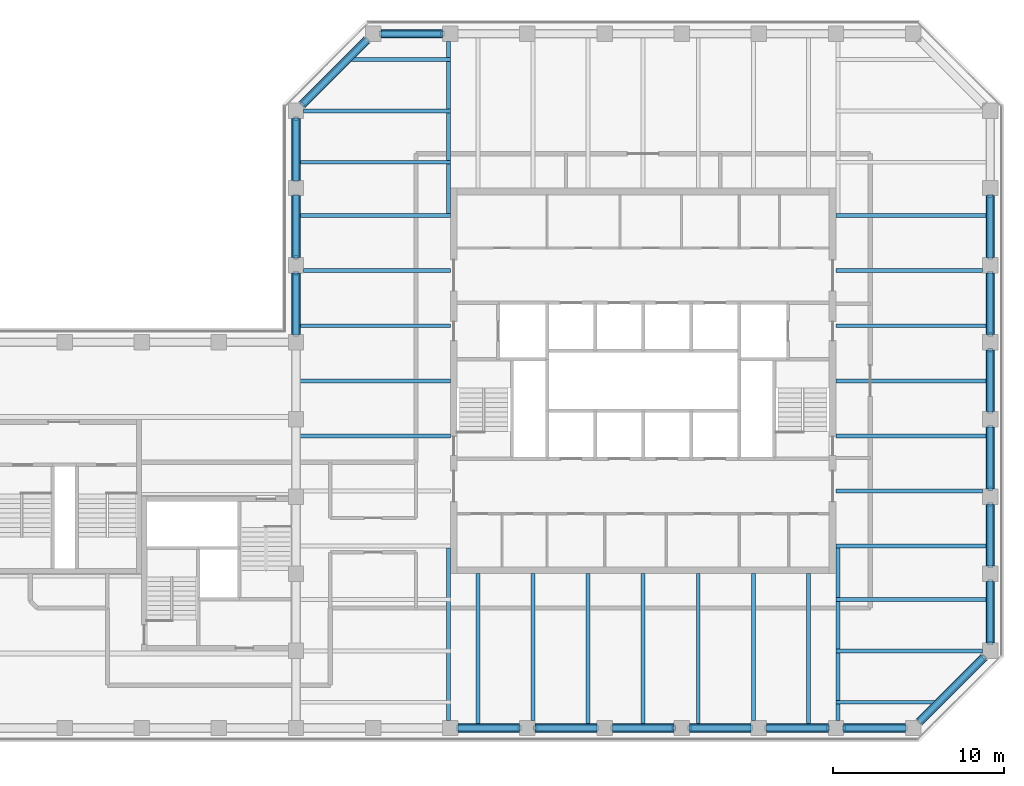
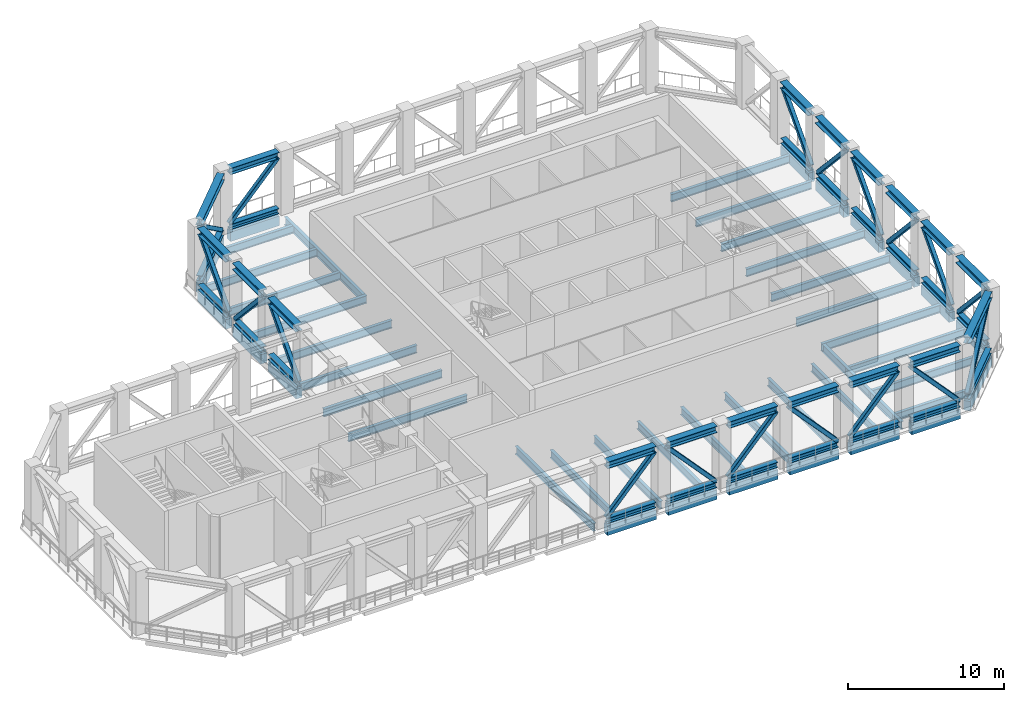
# One storey, part 2 of 13: 54 members, 46 beams.
"""IFC4 building model written with IfcOpenShell, lengths in metres."""

from ifc_helpers import new_model, si_unit, direction, frame, origin, origin_2d, place, context, subcontext, project, spatial, rectangle, hollow_rectangle, i_section, extrude, material, material_profile, profile_set, type_object, element, save


model = new_model("IFC4")

# Units and contexts
model_context = context("Model", 3, precision=1e-05, world=origin(), true_north=direction((0.0, 1.0)))
body_context = subcontext(model_context, "Body", "Model", "MODEL_VIEW")
ifc_project = project(units=[si_unit("LENGTHUNIT", "METRE"), si_unit("AREAUNIT", "SQUARE_METRE"), si_unit("VOLUMEUNIT", "CUBIC_METRE"), si_unit("PLANEANGLEUNIT", "RADIAN"), si_unit("MASSUNIT", "GRAM", prefix="KILO")], contexts=[model_context])

# Site, building, storey
site_placement = place(None, origin())
site = spatial("IfcSite", under=ifc_project, at=site_placement, CompositionType="ELEMENT")
building_placement = place(site_placement, origin())
building = spatial("IfcBuilding", under=site, at=building_placement, Name="Quoin Convention Tower", CompositionType="ELEMENT")
storey_placement = place(building_placement, frame((0.0, 0.0, 206.89990234375)))
storey = spatial("IfcBuildingStorey", under=building, at=storey_placement, Name="L54", CompositionType="ELEMENT", Elevation=206.89990234375)

# Members
ifc_material_1 = material(Name="Steel C450L0", Category="steel")
ifc_material_profile_1 = material_profile(ifc_material_1, hollow_rectangle(XDim=0.300048828125, YDim=0.300048828125, WallThickness=0.012451171875, InnerFilletRadius=0.018798828125, OuterFilletRadius=0.03125, at=origin_2d()), Name="300x300x12.5SHS")
ifc_profile_set_1 = profile_set([ifc_material_profile_1], Name="Steel C450L0")
member_type_1 = type_object("IfcMemberType", Name="300x300x12.5SHS", PredefinedType="BRACE", material=ifc_profile_set_1)
for number, where, z_axis, x_axis, name in (
    (1, (45.449951171875, 40.5, 0.422119140625), (0.676970994277, 0.0, 0.736009696205), (0.0, 1.0, 0.0), "Belt truss L54 diagonal 45000_40500-49500_40500"),
    (2, (53.550048828125, 40.5, 0.422119140625), (-0.676970994277, 0.0, 0.736009696205), (0.0, -1.0, 0.0), "Belt truss L54 diagonal 49500_40500-54000_40500"),
    (3, (54.449951171875, 40.5, 0.422119140625), (0.676970994277, 0.0, 0.736009696205), (0.0, 1.0, 0.0), "Belt truss L54 diagonal 54000_40500-58500_40500"),
    (4, (62.550048828125, 40.5, 0.422119140625), (-0.676970994277, 0.0, 0.736009696205), (0.0, -1.0, 0.0), "Belt truss L54 diagonal 58500_40500-63000_40500"),
    (5, (63.449951171875, 40.5, 0.422119140625), (0.676970994277, 0.0, 0.736009696205), (0.0, 1.0, 0.0), "Belt truss L54 diagonal 63000_40500-67500_40500"),
    (6, (71.550048828125, 40.5, 0.422119140625), (-0.676970994277, 0.0, 0.736009696205), (0.0, -1.0, 0.0), "Belt truss L54 diagonal 67500_40500-72000_40500"),
):
    element("IfcMember", number, at=place(storey_placement, frame(where, z_axis=z_axis, x_axis=x_axis)), inside=storey, type_object=member_type_1, Name=name, PredefinedType="BRACE", context=body_context, shape_type="SweptSolid", body=[
        extrude(hollow_rectangle(XDim=0.300048828125, YDim=0.300048828125, WallThickness=0.012451171875, InnerFilletRadius=0.018798828125, OuterFilletRadius=0.03125, at=origin_2d()), origin(), (0.0, 0.0, 1.0), 5.31787109375),
    ])
member_1_placement = place(storey_placement, frame((72.364990234375, 40.864990234375, 0.422119140625), z_axis=(0.56999956755, 0.56999956755, 0.591777818091), x_axis=(-0.707106781187, 0.707106781187, 0.0)))
element("IfcMember", 7, at=member_1_placement, inside=storey, type_object=member_type_1, Name="Belt truss L54 diagonal 72000_40500-76500_45000", PredefinedType="BRACE", context=body_context, shape_type="SweptSolid", body=[
    extrude(hollow_rectangle(XDim=0.300048828125, YDim=0.300048828125, WallThickness=0.012451171875, InnerFilletRadius=0.018798828125, OuterFilletRadius=0.03125, at=origin_2d()), origin(), (0.0, 0.0, 1.0), 6.614013671875),
])
for number, where, z_axis, x_axis, name in (
    (8, (76.5, 49.050048828125, 0.422119140625), (0.0, -0.676970994277, 0.736009696205), (1.0, 0.0, 0.0), "Belt truss L54 diagonal 76500_45000-76500_49500"),
    (9, (76.5, 49.949951171875, 0.422119140625), (0.0, 0.676970994277, 0.736009696205), (-1.0, 0.0, 0.0), "Belt truss L54 diagonal 76500_49500-76500_54000"),
    (10, (76.5, 58.050048828125, 0.422119140625), (0.0, -0.676970994277, 0.736009696205), (1.0, 0.0, 0.0), "Belt truss L54 diagonal 76500_54000-76500_58500"),
    (11, (76.5, 58.949951171875, 0.422119140625), (0.0, 0.676970994277, 0.736009696205), (-1.0, 0.0, 0.0), "Belt truss L54 diagonal 76500_58500-76500_63000"),
    (12, (76.5, 67.050048828125, 0.422119140625), (0.0, -0.676970994277, 0.736009696205), (1.0, 0.0, 0.0), "Belt truss L54 diagonal 76500_63000-76500_67500"),
    (13, (76.5, 67.949951171875, 0.422119140625), (0.0, 0.676970994277, 0.736009696205), (-1.0, 0.0, 0.0), "Belt truss L54 diagonal 76500_67500-76500_72000"),
    (14, (40.949951171875, 81.0, 0.422119140625), (0.676970994277, 0.0, 0.736009696205), (0.0, 1.0, 0.0), "Belt truss L54 diagonal 45000_81000-40500_81000"),
):
    element("IfcMember", number, at=place(storey_placement, frame(where, z_axis=z_axis, x_axis=x_axis)), inside=storey, type_object=member_type_1, Name=name, PredefinedType="BRACE", context=body_context, shape_type="SweptSolid", body=[
        extrude(hollow_rectangle(XDim=0.300048828125, YDim=0.300048828125, WallThickness=0.012451171875, InnerFilletRadius=0.018798828125, OuterFilletRadius=0.03125, at=origin_2d()), origin(), (0.0, 0.0, 1.0), 5.31787109375),
    ])
member_2_placement = place(storey_placement, frame((40.135009765625, 80.635009765625, 0.422119140625), z_axis=(-0.56999956755, -0.56999956755, 0.591777818091), x_axis=(0.707106781187, -0.707106781187, 0.0)))
element("IfcMember", 15, at=member_2_placement, inside=storey, type_object=member_type_1, Name="Belt truss L54 diagonal 40500_81000-36000_76500", PredefinedType="BRACE", context=body_context, shape_type="SweptSolid", body=[
    extrude(hollow_rectangle(XDim=0.300048828125, YDim=0.300048828125, WallThickness=0.012451171875, InnerFilletRadius=0.018798828125, OuterFilletRadius=0.03125, at=origin_2d()), origin(), (0.0, 0.0, 1.0), 6.614013671875),
])
for number, where, z_axis, x_axis, name in (
    (16, (36.0, 72.449951171875, 0.422119140625), (0.0, 0.676970994277, 0.736009696205), (-1.0, 0.0, 0.0), "Belt truss L54 diagonal 36000_76500-36000_72000"),
    (17, (36.0, 71.550048828125, 0.422119140625), (0.0, -0.676970994277, 0.736009696205), (1.0, 0.0, 0.0), "Belt truss L54 diagonal 36000_72000-36000_67500"),
    (18, (36.0, 63.449951171875, 0.422119140625), (0.0, 0.676970994277, 0.736009696205), (-1.0, 0.0, 0.0), "Belt truss L54 diagonal 36000_67500-36000_63000"),
):
    element("IfcMember", number, at=place(storey_placement, frame(where, z_axis=z_axis, x_axis=x_axis)), inside=storey, type_object=member_type_1, Name=name, PredefinedType="BRACE", context=body_context, shape_type="SweptSolid", body=[
        extrude(hollow_rectangle(XDim=0.300048828125, YDim=0.300048828125, WallThickness=0.012451171875, InnerFilletRadius=0.018798828125, OuterFilletRadius=0.03125, at=origin_2d()), origin(), (0.0, 0.0, 1.0), 5.31787109375),
    ])
ifc_material_2 = material(Name="Steel Grade 300", Category="steel")
ifc_material_profile_2 = material_profile(ifc_material_2, i_section(OverallWidth=0.39990234375, OverallDepth=0.422119140625, WebThickness=0.028076171875, FlangeThickness=0.035888671875, at=origin_2d()), Name="400WC303")
ifc_profile_set_2 = profile_set([ifc_material_profile_2], Name="Steel Grade 300")
member_type_2 = type_object("IfcMemberType", Name="400WC303", PredefinedType="CHORD", material=ifc_profile_set_2)
for number, where, z_axis, x_axis, name in (
    (19, (45.449951171875, 40.5, 0.211181640625), (1.0, 0.0, 0.0), (0.0, 1.0, 0.0), "Belt truss L54 bottom chord 45000_40500-49500_40500"),
    (20, (49.949951171875, 40.5, 0.211181640625), (1.0, 0.0, 0.0), (0.0, 1.0, 0.0), "Belt truss L54 bottom chord 49500_40500-54000_40500"),
    (21, (54.449951171875, 40.5, 0.211181640625), (1.0, 0.0, 0.0), (0.0, 1.0, 0.0), "Belt truss L54 bottom chord 54000_40500-58500_40500"),
    (22, (58.949951171875, 40.5, 0.211181640625), (1.0, 0.0, 0.0), (0.0, 1.0, 0.0), "Belt truss L54 bottom chord 58500_40500-63000_40500"),
    (23, (63.449951171875, 40.5, 0.211181640625), (1.0, 0.0, 0.0), (0.0, 1.0, 0.0), "Belt truss L54 bottom chord 63000_40500-67500_40500"),
    (24, (67.949951171875, 40.5, 0.211181640625), (1.0, 0.0, 0.0), (0.0, 1.0, 0.0), "Belt truss L54 bottom chord 67500_40500-72000_40500"),
):
    element("IfcMember", number, at=place(storey_placement, frame(where, z_axis=z_axis, x_axis=x_axis)), inside=storey, type_object=member_type_2, Name=name, PredefinedType="CHORD", context=body_context, shape_type="SweptSolid", body=[
        extrude(i_section(OverallWidth=0.39990234375, OverallDepth=0.422119140625, WebThickness=0.028076171875, FlangeThickness=0.035888671875, at=origin_2d()), origin(), (0.0, 0.0, 1.0), 3.60009765625),
    ])
member_3_placement = place(storey_placement, frame((72.364990234375, 40.864990234375, 0.211181640625), z_axis=(0.707106781187, 0.707106781187, 0.0), x_axis=(-0.707106781187, 0.707106781187, 0.0)))
element("IfcMember", 25, at=member_3_placement, inside=storey, type_object=member_type_2, Name="Belt truss L54 bottom chord 72000_40500-76500_45000", PredefinedType="CHORD", context=body_context, shape_type="SweptSolid", body=[
    extrude(i_section(OverallWidth=0.39990234375, OverallDepth=0.422119140625, WebThickness=0.028076171875, FlangeThickness=0.035888671875, at=origin_2d()), origin(), (0.0, 0.0, 1.0), 5.33154296875),
])
for number, where, z_axis, x_axis, name in (
    (26, (76.5, 45.449951171875, 0.211181640625), (0.0, 1.0, 0.0), (-1.0, 0.0, 0.0), "Belt truss L54 bottom chord 76500_45000-76500_49500"),
    (27, (76.5, 49.949951171875, 0.211181640625), (0.0, 1.0, 0.0), (-1.0, 0.0, 0.0), "Belt truss L54 bottom chord 76500_49500-76500_54000"),
    (28, (76.5, 54.449951171875, 0.211181640625), (0.0, 1.0, 0.0), (-1.0, 0.0, 0.0), "Belt truss L54 bottom chord 76500_54000-76500_58500"),
    (29, (76.5, 58.949951171875, 0.211181640625), (0.0, 1.0, 0.0), (-1.0, 0.0, 0.0), "Belt truss L54 bottom chord 76500_58500-76500_63000"),
    (30, (76.5, 63.449951171875, 0.211181640625), (0.0, 1.0, 0.0), (-1.0, 0.0, 0.0), "Belt truss L54 bottom chord 76500_63000-76500_67500"),
    (31, (76.5, 67.949951171875, 0.211181640625), (0.0, 1.0, 0.0), (-1.0, 0.0, 0.0), "Belt truss L54 bottom chord 76500_67500-76500_72000"),
    (32, (44.550048828125, 81.0, 0.211181640625), (-1.0, 0.0, 0.0), (0.0, -1.0, 0.0), "Belt truss L54 bottom chord 45000_81000-40500_81000"),
):
    element("IfcMember", number, at=place(storey_placement, frame(where, z_axis=z_axis, x_axis=x_axis)), inside=storey, type_object=member_type_2, Name=name, PredefinedType="CHORD", context=body_context, shape_type="SweptSolid", body=[
        extrude(i_section(OverallWidth=0.39990234375, OverallDepth=0.422119140625, WebThickness=0.028076171875, FlangeThickness=0.035888671875, at=origin_2d()), origin(), (0.0, 0.0, 1.0), 3.60009765625),
    ])
member_4_placement = place(storey_placement, frame((40.135009765625, 80.635009765625, 0.211181640625), z_axis=(-0.707106781187, -0.707106781187, 0.0), x_axis=(0.707106781187, -0.707106781187, 0.0)))
element("IfcMember", 33, at=member_4_placement, inside=storey, type_object=member_type_2, Name="Belt truss L54 bottom chord 40500_81000-36000_76500", PredefinedType="CHORD", context=body_context, shape_type="SweptSolid", body=[
    extrude(i_section(OverallWidth=0.39990234375, OverallDepth=0.422119140625, WebThickness=0.028076171875, FlangeThickness=0.035888671875, at=origin_2d()), origin(), (0.0, 0.0, 1.0), 5.33154296875),
])
for number, where, z_axis, x_axis, name in (
    (34, (36.0, 76.050048828125, 0.211181640625), (0.0, -1.0, 0.0), (1.0, 0.0, 0.0), "Belt truss L54 bottom chord 36000_76500-36000_72000"),
    (35, (36.0, 71.550048828125, 0.211181640625), (0.0, -1.0, 0.0), (1.0, 0.0, 0.0), "Belt truss L54 bottom chord 36000_72000-36000_67500"),
    (36, (36.0, 67.050048828125, 0.211181640625), (0.0, -1.0, 0.0), (1.0, 0.0, 0.0), "Belt truss L54 bottom chord 36000_67500-36000_63000"),
):
    element("IfcMember", number, at=place(storey_placement, frame(where, z_axis=z_axis, x_axis=x_axis)), inside=storey, type_object=member_type_2, Name=name, PredefinedType="CHORD", context=body_context, shape_type="SweptSolid", body=[
        extrude(i_section(OverallWidth=0.39990234375, OverallDepth=0.422119140625, WebThickness=0.028076171875, FlangeThickness=0.035888671875, at=origin_2d()), origin(), (0.0, 0.0, 1.0), 3.60009765625),
    ])
ifc_material_profile_3 = material_profile(ifc_material_2, i_section(OverallWidth=0.5, OverallDepth=0.513916015625, WebThickness=0.02490234375, FlangeThickness=0.031982421875, at=origin_2d()), Name="500WC340")
ifc_profile_set_3 = profile_set([ifc_material_profile_3], Name="Steel Grade 300")
member_type_3 = type_object("IfcMemberType", Name="500WC340", PredefinedType="CHORD", material=ifc_profile_set_3)
for number, where, z_axis, x_axis, name in (
    (37, (45.449951171875, 40.5, 4.593017578125), (1.0, 0.0, 0.0), (0.0, 1.0, 0.0), "Belt truss L54 top chord 45000_40500-49500_40500"),
    (38, (49.949951171875, 40.5, 4.593017578125), (1.0, 0.0, 0.0), (0.0, 1.0, 0.0), "Belt truss L54 top chord 49500_40500-54000_40500"),
    (39, (54.449951171875, 40.5, 4.593017578125), (1.0, 0.0, 0.0), (0.0, 1.0, 0.0), "Belt truss L54 top chord 54000_40500-58500_40500"),
    (40, (58.949951171875, 40.5, 4.593017578125), (1.0, 0.0, 0.0), (0.0, 1.0, 0.0), "Belt truss L54 top chord 58500_40500-63000_40500"),
    (41, (63.449951171875, 40.5, 4.593017578125), (1.0, 0.0, 0.0), (0.0, 1.0, 0.0), "Belt truss L54 top chord 63000_40500-67500_40500"),
    (42, (67.949951171875, 40.5, 4.593017578125), (1.0, 0.0, 0.0), (0.0, 1.0, 0.0), "Belt truss L54 top chord 67500_40500-72000_40500"),
):
    element("IfcMember", number, at=place(storey_placement, frame(where, z_axis=z_axis, x_axis=x_axis)), inside=storey, type_object=member_type_3, Name=name, PredefinedType="CHORD", context=body_context, shape_type="SweptSolid", body=[
        extrude(i_section(OverallWidth=0.5, OverallDepth=0.513916015625, WebThickness=0.02490234375, FlangeThickness=0.031982421875, at=origin_2d()), origin(), (0.0, 0.0, 1.0), 3.60009765625),
    ])
member_5_placement = place(storey_placement, frame((72.364990234375, 40.864990234375, 4.593017578125), z_axis=(0.707106781187, 0.707106781187, 0.0), x_axis=(-0.707106781187, 0.707106781187, 0.0)))
element("IfcMember", 43, at=member_5_placement, inside=storey, type_object=member_type_3, Name="Belt truss L54 top chord 72000_40500-76500_45000", PredefinedType="CHORD", context=body_context, shape_type="SweptSolid", body=[
    extrude(i_section(OverallWidth=0.5, OverallDepth=0.513916015625, WebThickness=0.02490234375, FlangeThickness=0.031982421875, at=origin_2d()), origin(), (0.0, 0.0, 1.0), 5.33154296875),
])
for number, where, z_axis, x_axis, name in (
    (44, (76.5, 45.449951171875, 4.593017578125), (0.0, 1.0, 0.0), (-1.0, 0.0, 0.0), "Belt truss L54 top chord 76500_45000-76500_49500"),
    (45, (76.5, 49.949951171875, 4.593017578125), (0.0, 1.0, 0.0), (-1.0, 0.0, 0.0), "Belt truss L54 top chord 76500_49500-76500_54000"),
    (46, (76.5, 54.449951171875, 4.593017578125), (0.0, 1.0, 0.0), (-1.0, 0.0, 0.0), "Belt truss L54 top chord 76500_54000-76500_58500"),
    (47, (76.5, 58.949951171875, 4.593017578125), (0.0, 1.0, 0.0), (-1.0, 0.0, 0.0), "Belt truss L54 top chord 76500_58500-76500_63000"),
    (48, (76.5, 63.449951171875, 4.593017578125), (0.0, 1.0, 0.0), (-1.0, 0.0, 0.0), "Belt truss L54 top chord 76500_63000-76500_67500"),
    (49, (76.5, 67.949951171875, 4.593017578125), (0.0, 1.0, 0.0), (-1.0, 0.0, 0.0), "Belt truss L54 top chord 76500_67500-76500_72000"),
    (50, (44.550048828125, 81.0, 4.593017578125), (-1.0, 0.0, 0.0), (0.0, -1.0, 0.0), "Belt truss L54 top chord 45000_81000-40500_81000"),
):
    element("IfcMember", number, at=place(storey_placement, frame(where, z_axis=z_axis, x_axis=x_axis)), inside=storey, type_object=member_type_3, Name=name, PredefinedType="CHORD", context=body_context, shape_type="SweptSolid", body=[
        extrude(i_section(OverallWidth=0.5, OverallDepth=0.513916015625, WebThickness=0.02490234375, FlangeThickness=0.031982421875, at=origin_2d()), origin(), (0.0, 0.0, 1.0), 3.60009765625),
    ])
member_6_placement = place(storey_placement, frame((40.135009765625, 80.635009765625, 4.593017578125), z_axis=(-0.707106781187, -0.707106781187, 0.0), x_axis=(0.707106781187, -0.707106781187, 0.0)))
element("IfcMember", 51, at=member_6_placement, inside=storey, type_object=member_type_3, Name="Belt truss L54 top chord 40500_81000-36000_76500", PredefinedType="CHORD", context=body_context, shape_type="SweptSolid", body=[
    extrude(i_section(OverallWidth=0.5, OverallDepth=0.513916015625, WebThickness=0.02490234375, FlangeThickness=0.031982421875, at=origin_2d()), origin(), (0.0, 0.0, 1.0), 5.33154296875),
])
for number, where, z_axis, x_axis, name in (
    (52, (36.0, 76.050048828125, 4.593017578125), (0.0, -1.0, 0.0), (1.0, 0.0, 0.0), "Belt truss L54 top chord 36000_76500-36000_72000"),
    (53, (36.0, 71.550048828125, 4.593017578125), (0.0, -1.0, 0.0), (1.0, 0.0, 0.0), "Belt truss L54 top chord 36000_72000-36000_67500"),
    (54, (36.0, 67.050048828125, 4.593017578125), (0.0, -1.0, 0.0), (1.0, 0.0, 0.0), "Belt truss L54 top chord 36000_67500-36000_63000"),
):
    element("IfcMember", number, at=place(storey_placement, frame(where, z_axis=z_axis, x_axis=x_axis)), inside=storey, type_object=member_type_3, Name=name, PredefinedType="CHORD", context=body_context, shape_type="SweptSolid", body=[
        extrude(i_section(OverallWidth=0.5, OverallDepth=0.513916015625, WebThickness=0.02490234375, FlangeThickness=0.031982421875, at=origin_2d()), origin(), (0.0, 0.0, 1.0), 3.60009765625),
    ])

# Beams
ifc_material_profile_4 = material_profile(ifc_material_2, i_section(OverallWidth=0.22802734375, OverallDepth=0.60205078125, WebThickness=0.010498046875, FlangeThickness=0.014892578125, FilletRadius=0.013916015625, at=origin_2d()), Name="610UB101")
ifc_profile_set_4 = profile_set([ifc_material_profile_4], Name="Steel Grade 300")
beam_type_1 = type_object("IfcBeamType", Name="610UB101", PredefinedType="BEAM", material=ifc_profile_set_4)
for number, where, z_axis, x_axis, name in (
    (55, (36.22509765625, 57.53564453125, -0.450927734375), (1.0, 0.0, 0.0), (0.0, 1.0, 0.0), "bm-L54-T1W2"),
    (56, (36.22509765625, 60.75, -0.450927734375), (1.0, 0.0, 0.0), (0.0, 1.0, 0.0), "bm-L54-T1W3"),
    (57, (36.22509765625, 63.96435546875, -0.450927734375), (1.0, 0.0, 0.0), (0.0, 1.0, 0.0), "bm-L54-T1W4"),
):
    element("IfcBeam", number, at=place(storey_placement, frame(where, z_axis=z_axis, x_axis=x_axis)), inside=storey, type_object=beam_type_1, Name=name, PredefinedType="BEAM", context=body_context, shape_type="SweptSolid", body=[
        extrude(i_section(OverallWidth=0.22802734375, OverallDepth=0.60205078125, WebThickness=0.010498046875, FlangeThickness=0.014892578125, FilletRadius=0.013916015625, at=origin_2d()), origin(), (0.0, 0.0, 1.0), 8.77490234375),
    ])
beam_1_placement = place(storey_placement, frame((36.449951171875, 67.1787109375, -0.450927734375), z_axis=(1.0, 0.0, 0.0), x_axis=(0.0, 1.0, 0.0)))
element("IfcBeam", 58, at=beam_1_placement, inside=storey, type_object=beam_type_1, Name="bm-L54-T1W5", PredefinedType="BEAM", context=body_context, shape_type="SweptSolid", body=[
    extrude(i_section(OverallWidth=0.22802734375, OverallDepth=0.60205078125, WebThickness=0.010498046875, FlangeThickness=0.014892578125, FilletRadius=0.013916015625, at=origin_2d()), origin(), (0.0, 0.0, 1.0), 8.550048828125),
])
for number, where, z_axis, x_axis, name in (
    (59, (36.22509765625, 70.392822265625, -0.450927734375), (1.0, 0.0, 0.0), (0.0, 1.0, 0.0), "bm-L54-T1W6"),
    (60, (67.5, 51.107177734375, -0.450927734375), (1.0, 0.0, 0.0), (0.0, 1.0, 0.0), "bm-L54-T1E0"),
):
    element("IfcBeam", number, at=place(storey_placement, frame(where, z_axis=z_axis, x_axis=x_axis)), inside=storey, type_object=beam_type_1, Name=name, PredefinedType="BEAM", context=body_context, shape_type="SweptSolid", body=[
        extrude(i_section(OverallWidth=0.22802734375, OverallDepth=0.60205078125, WebThickness=0.010498046875, FlangeThickness=0.014892578125, FilletRadius=0.013916015625, at=origin_2d()), origin(), (0.0, 0.0, 1.0), 8.77490234375),
    ])
beam_2_placement = place(storey_placement, frame((67.5, 54.3212890625, -0.450927734375), z_axis=(1.0, 0.0, 0.0), x_axis=(0.0, 1.0, 0.0)))
element("IfcBeam", 61, at=beam_2_placement, inside=storey, type_object=beam_type_1, Name="bm-L54-T1E1", PredefinedType="BEAM", context=body_context, shape_type="SweptSolid", body=[
    extrude(i_section(OverallWidth=0.22802734375, OverallDepth=0.60205078125, WebThickness=0.010498046875, FlangeThickness=0.014892578125, FilletRadius=0.013916015625, at=origin_2d()), origin(), (0.0, 0.0, 1.0), 8.550048828125),
])
for number, where, z_axis, x_axis, name in (
    (62, (67.5, 57.53564453125, -0.450927734375), (1.0, 0.0, 0.0), (0.0, 1.0, 0.0), "bm-L54-T1E2"),
    (63, (67.5, 60.75, -0.450927734375), (1.0, 0.0, 0.0), (0.0, 1.0, 0.0), "bm-L54-T1E3"),
    (64, (67.5, 63.96435546875, -0.450927734375), (1.0, 0.0, 0.0), (0.0, 1.0, 0.0), "bm-L54-T1E4"),
):
    element("IfcBeam", number, at=place(storey_placement, frame(where, z_axis=z_axis, x_axis=x_axis)), inside=storey, type_object=beam_type_1, Name=name, PredefinedType="BEAM", context=body_context, shape_type="SweptSolid", body=[
        extrude(i_section(OverallWidth=0.22802734375, OverallDepth=0.60205078125, WebThickness=0.010498046875, FlangeThickness=0.014892578125, FilletRadius=0.013916015625, at=origin_2d()), origin(), (0.0, 0.0, 1.0), 8.77490234375),
    ])
beam_3_placement = place(storey_placement, frame((67.5, 67.1787109375, -0.450927734375), z_axis=(1.0, 0.0, 0.0), x_axis=(0.0, 1.0, 0.0)))
element("IfcBeam", 65, at=beam_3_placement, inside=storey, type_object=beam_type_1, Name="bm-L54-T1E5", PredefinedType="BEAM", context=body_context, shape_type="SweptSolid", body=[
    extrude(i_section(OverallWidth=0.22802734375, OverallDepth=0.60205078125, WebThickness=0.010498046875, FlangeThickness=0.014892578125, FilletRadius=0.013916015625, at=origin_2d()), origin(), (0.0, 0.0, 1.0), 8.550048828125),
])
for number, where, z_axis, x_axis, name in (
    (66, (67.5, 70.392822265625, -0.450927734375), (1.0, 0.0, 0.0), (0.0, 1.0, 0.0), "bm-L54-T1E6"),
    (67, (46.607177734375, 40.72509765625, -0.450927734375), (0.0, 1.0, 0.0), (-1.0, 0.0, 0.0), "bm-L54-T1S0"),
):
    element("IfcBeam", number, at=place(storey_placement, frame(where, z_axis=z_axis, x_axis=x_axis)), inside=storey, type_object=beam_type_1, Name=name, PredefinedType="BEAM", context=body_context, shape_type="SweptSolid", body=[
        extrude(i_section(OverallWidth=0.22802734375, OverallDepth=0.60205078125, WebThickness=0.010498046875, FlangeThickness=0.014892578125, FilletRadius=0.013916015625, at=origin_2d()), origin(), (0.0, 0.0, 1.0), 8.77490234375),
    ])
beam_4_placement = place(storey_placement, frame((49.8212890625, 40.949951171875, -0.450927734375), z_axis=(0.0, 1.0, 0.0), x_axis=(-1.0, 0.0, 0.0)))
element("IfcBeam", 68, at=beam_4_placement, inside=storey, type_object=beam_type_1, Name="bm-L54-T1S1", PredefinedType="BEAM", context=body_context, shape_type="SweptSolid", body=[
    extrude(i_section(OverallWidth=0.22802734375, OverallDepth=0.60205078125, WebThickness=0.010498046875, FlangeThickness=0.014892578125, FilletRadius=0.013916015625, at=origin_2d()), origin(), (0.0, 0.0, 1.0), 8.550048828125),
])
for number, where, z_axis, x_axis, name in (
    (69, (53.03564453125, 40.72509765625, -0.450927734375), (0.0, 1.0, 0.0), (-1.0, 0.0, 0.0), "bm-L54-T1S2"),
    (70, (56.25, 40.72509765625, -0.450927734375), (0.0, 1.0, 0.0), (-1.0, 0.0, 0.0), "bm-L54-T1S3"),
    (71, (59.46435546875, 40.72509765625, -0.450927734375), (0.0, 1.0, 0.0), (-1.0, 0.0, 0.0), "bm-L54-T1S4"),
):
    element("IfcBeam", number, at=place(storey_placement, frame(where, z_axis=z_axis, x_axis=x_axis)), inside=storey, type_object=beam_type_1, Name=name, PredefinedType="BEAM", context=body_context, shape_type="SweptSolid", body=[
        extrude(i_section(OverallWidth=0.22802734375, OverallDepth=0.60205078125, WebThickness=0.010498046875, FlangeThickness=0.014892578125, FilletRadius=0.013916015625, at=origin_2d()), origin(), (0.0, 0.0, 1.0), 8.77490234375),
    ])
beam_5_placement = place(storey_placement, frame((62.6787109375, 40.949951171875, -0.450927734375), z_axis=(0.0, 1.0, 0.0), x_axis=(-1.0, 0.0, 0.0)))
element("IfcBeam", 72, at=beam_5_placement, inside=storey, type_object=beam_type_1, Name="bm-L54-T1S5", PredefinedType="BEAM", context=body_context, shape_type="SweptSolid", body=[
    extrude(i_section(OverallWidth=0.22802734375, OverallDepth=0.60205078125, WebThickness=0.010498046875, FlangeThickness=0.014892578125, FilletRadius=0.013916015625, at=origin_2d()), origin(), (0.0, 0.0, 1.0), 8.550048828125),
])
beam_6_placement = place(storey_placement, frame((65.892822265625, 40.72509765625, -0.450927734375), z_axis=(0.0, 1.0, 0.0), x_axis=(-1.0, 0.0, 0.0)))
element("IfcBeam", 73, at=beam_6_placement, inside=storey, type_object=beam_type_1, Name="bm-L54-T1S6", PredefinedType="BEAM", context=body_context, shape_type="SweptSolid", body=[
    extrude(i_section(OverallWidth=0.22802734375, OverallDepth=0.60205078125, WebThickness=0.010498046875, FlangeThickness=0.014892578125, FilletRadius=0.013916015625, at=origin_2d()), origin(), (0.0, 0.0, 1.0), 8.77490234375),
])
beam_7_placement = place(storey_placement, frame((67.5, 42.0, -0.450927734375), z_axis=(1.0, 0.0, 0.0), x_axis=(0.0, 1.0, 0.0)))
element("IfcBeam", 74, at=beam_7_placement, inside=storey, type_object=beam_type_1, Name="bm-L54-T1SE0", PredefinedType="BEAM", context=body_context, shape_type="SweptSolid", body=[
    extrude(i_section(OverallWidth=0.22802734375, OverallDepth=0.60205078125, WebThickness=0.010498046875, FlangeThickness=0.014892578125, FilletRadius=0.013916015625, at=origin_2d()), origin(), (0.0, 0.0, 1.0), 5.954833984375),
])
beam_8_placement = place(storey_placement, frame((67.5, 45.0, -0.450927734375), z_axis=(1.0, 0.0, 0.0), x_axis=(0.0, 1.0, 0.0)))
element("IfcBeam", 75, at=beam_8_placement, inside=storey, type_object=beam_type_1, Name="bm-L54-T1SE1", PredefinedType="BEAM", context=body_context, shape_type="SweptSolid", body=[
    extrude(i_section(OverallWidth=0.22802734375, OverallDepth=0.60205078125, WebThickness=0.010498046875, FlangeThickness=0.014892578125, FilletRadius=0.013916015625, at=origin_2d()), origin(), (0.0, 0.0, 1.0), 8.550048828125),
])
beam_9_placement = place(storey_placement, frame((67.5, 48.0, -0.450927734375), z_axis=(1.0, 0.0, 0.0), x_axis=(0.0, 1.0, 0.0)))
element("IfcBeam", 76, at=beam_9_placement, inside=storey, type_object=beam_type_1, Name="bm-L54-T1SE2", PredefinedType="BEAM", context=body_context, shape_type="SweptSolid", body=[
    extrude(i_section(OverallWidth=0.22802734375, OverallDepth=0.60205078125, WebThickness=0.010498046875, FlangeThickness=0.014892578125, FilletRadius=0.013916015625, at=origin_2d()), origin(), (0.0, 0.0, 1.0), 8.77490234375),
])
beam_10_placement = place(storey_placement, frame((39.045166015625, 79.5, -0.450927734375), z_axis=(1.0, 0.0, 0.0), x_axis=(0.0, 1.0, 0.0)))
element("IfcBeam", 77, at=beam_10_placement, inside=storey, type_object=beam_type_1, Name="bm-L54-T1NW0", PredefinedType="BEAM", context=body_context, shape_type="SweptSolid", body=[
    extrude(i_section(OverallWidth=0.22802734375, OverallDepth=0.60205078125, WebThickness=0.010498046875, FlangeThickness=0.014892578125, FilletRadius=0.013916015625, at=origin_2d()), origin(), (0.0, 0.0, 1.0), 5.954833984375),
])
beam_11_placement = place(storey_placement, frame((36.449951171875, 76.5, -0.450927734375), z_axis=(1.0, 0.0, 0.0), x_axis=(0.0, 1.0, 0.0)))
element("IfcBeam", 78, at=beam_11_placement, inside=storey, type_object=beam_type_1, Name="bm-L54-T1NW1", PredefinedType="BEAM", context=body_context, shape_type="SweptSolid", body=[
    extrude(i_section(OverallWidth=0.22802734375, OverallDepth=0.60205078125, WebThickness=0.010498046875, FlangeThickness=0.014892578125, FilletRadius=0.013916015625, at=origin_2d()), origin(), (0.0, 0.0, 1.0), 8.550048828125),
])
beam_12_placement = place(storey_placement, frame((36.22509765625, 73.5, -0.450927734375), z_axis=(1.0, 0.0, 0.0), x_axis=(0.0, 1.0, 0.0)))
element("IfcBeam", 79, at=beam_12_placement, inside=storey, type_object=beam_type_1, Name="bm-L54-T1NW2", PredefinedType="BEAM", context=body_context, shape_type="SweptSolid", body=[
    extrude(i_section(OverallWidth=0.22802734375, OverallDepth=0.60205078125, WebThickness=0.010498046875, FlangeThickness=0.014892578125, FilletRadius=0.013916015625, at=origin_2d()), origin(), (0.0, 0.0, 1.0), 8.77490234375),
])
ifc_material_profile_5 = material_profile(ifc_material_2, i_section(OverallWidth=0.22900390625, OverallDepth=0.612060546875, WebThickness=0.011962890625, FlangeThickness=0.01953125, FilletRadius=0.013916015625, at=origin_2d()), Name="610UB125")
ifc_profile_set_5 = profile_set([ifc_material_profile_5], Name="Steel Grade 300")
beam_type_2 = type_object("IfcBeamType", Name="610UB125", PredefinedType="BEAM", material=ifc_profile_set_5)
for number, where, z_axis, x_axis, name in (
    (80, (44.885498046875, 40.949951171875, -0.455810546875), (0.0, 1.0, 0.0), (-1.0, 0.0, 0.0), "gir-L54-T1SW"),
    (81, (67.614501953125, 40.949951171875, -0.455810546875), (0.0, 1.0, 0.0), (-1.0, 0.0, 0.0), "gir-L54-T1SE"),
    (82, (44.885498046875, 80.550048828125, -0.455810546875), (0.0, -1.0, 0.0), (1.0, 0.0, 0.0), "gir-L54-T1NW"),
):
    element("IfcBeam", number, at=place(storey_placement, frame(where, z_axis=z_axis, x_axis=x_axis)), inside=storey, type_object=beam_type_2, Name=name, PredefinedType="BEAM", context=body_context, shape_type="SweptSolid", body=[
        extrude(i_section(OverallWidth=0.22900390625, OverallDepth=0.612060546875, WebThickness=0.011962890625, FlangeThickness=0.01953125, FilletRadius=0.013916015625, at=origin_2d()), origin(), (0.0, 0.0, 1.0), 10.043212890625),
    ])
ifc_material_3 = material(Name="Concrete C50", Category="concrete")
ifc_material_profile_6 = material_profile(ifc_material_3, rectangle(XDim=0.449951171875, YDim=0.75, at=origin_2d()), Name="RC 450x750")
ifc_profile_set_6 = profile_set([ifc_material_profile_6], Name="Concrete C50")
beam_type_3 = type_object("IfcBeamType", Name="RC 450x750 C50", PredefinedType="SPANDREL", material=ifc_profile_set_6)
for number, where, z_axis, x_axis, name in (
    (83, (45.449951171875, 40.5, -0.52490234375), (1.0, 0.0, 0.0), (0.0, 1.0, 0.0), "spd-L54-45000_40500-49500_40500"),
    (84, (49.949951171875, 40.5, -0.52490234375), (1.0, 0.0, 0.0), (0.0, 1.0, 0.0), "spd-L54-49500_40500-54000_40500"),
    (85, (54.449951171875, 40.5, -0.52490234375), (1.0, 0.0, 0.0), (0.0, 1.0, 0.0), "spd-L54-54000_40500-58500_40500"),
    (86, (58.949951171875, 40.5, -0.52490234375), (1.0, 0.0, 0.0), (0.0, 1.0, 0.0), "spd-L54-58500_40500-63000_40500"),
    (87, (63.449951171875, 40.5, -0.52490234375), (1.0, 0.0, 0.0), (0.0, 1.0, 0.0), "spd-L54-63000_40500-67500_40500"),
    (88, (67.949951171875, 40.5, -0.52490234375), (1.0, 0.0, 0.0), (0.0, 1.0, 0.0), "spd-L54-67500_40500-72000_40500"),
):
    element("IfcBeam", number, at=place(storey_placement, frame(where, z_axis=z_axis, x_axis=x_axis)), inside=storey, type_object=beam_type_3, Name=name, PredefinedType="SPANDREL", context=body_context, shape_type="SweptSolid", body=[
        extrude(rectangle(XDim=0.449951171875, YDim=0.75, at=origin_2d()), origin(), (0.0, 0.0, 1.0), 3.60009765625),
    ])
beam_13_placement = place(storey_placement, frame((72.364990234375, 40.864990234375, -0.52490234375), z_axis=(0.707106781187, 0.707106781187, 0.0), x_axis=(-0.707106781187, 0.707106781187, 0.0)))
element("IfcBeam", 89, at=beam_13_placement, inside=storey, type_object=beam_type_3, Name="spd-L54-72000_40500-76500_45000", PredefinedType="SPANDREL", context=body_context, shape_type="SweptSolid", body=[
    extrude(rectangle(XDim=0.449951171875, YDim=0.75, at=origin_2d()), origin(), (0.0, 0.0, 1.0), 5.33154296875),
])
for number, where, z_axis, x_axis, name in (
    (90, (76.5, 45.449951171875, -0.52490234375), (0.0, 1.0, 0.0), (-1.0, 0.0, 0.0), "spd-L54-76500_45000-76500_49500"),
    (91, (76.5, 49.949951171875, -0.52490234375), (0.0, 1.0, 0.0), (-1.0, 0.0, 0.0), "spd-L54-76500_49500-76500_54000"),
    (92, (76.5, 54.449951171875, -0.52490234375), (0.0, 1.0, 0.0), (-1.0, 0.0, 0.0), "spd-L54-76500_54000-76500_58500"),
    (93, (76.5, 58.949951171875, -0.52490234375), (0.0, 1.0, 0.0), (-1.0, 0.0, 0.0), "spd-L54-76500_58500-76500_63000"),
    (94, (76.5, 63.449951171875, -0.52490234375), (0.0, 1.0, 0.0), (-1.0, 0.0, 0.0), "spd-L54-76500_63000-76500_67500"),
    (95, (76.5, 67.949951171875, -0.52490234375), (0.0, 1.0, 0.0), (-1.0, 0.0, 0.0), "spd-L54-76500_67500-76500_72000"),
    (96, (44.550048828125, 81.0, -0.52490234375), (-1.0, 0.0, 0.0), (0.0, -1.0, 0.0), "spd-L54-45000_81000-40500_81000"),
):
    element("IfcBeam", number, at=place(storey_placement, frame(where, z_axis=z_axis, x_axis=x_axis)), inside=storey, type_object=beam_type_3, Name=name, PredefinedType="SPANDREL", context=body_context, shape_type="SweptSolid", body=[
        extrude(rectangle(XDim=0.449951171875, YDim=0.75, at=origin_2d()), origin(), (0.0, 0.0, 1.0), 3.60009765625),
    ])
beam_14_placement = place(storey_placement, frame((40.135009765625, 80.635009765625, -0.52490234375), z_axis=(-0.707106781187, -0.707106781187, 0.0), x_axis=(0.707106781187, -0.707106781187, 0.0)))
element("IfcBeam", 97, at=beam_14_placement, inside=storey, type_object=beam_type_3, Name="spd-L54-40500_81000-36000_76500", PredefinedType="SPANDREL", context=body_context, shape_type="SweptSolid", body=[
    extrude(rectangle(XDim=0.449951171875, YDim=0.75, at=origin_2d()), origin(), (0.0, 0.0, 1.0), 5.33154296875),
])
for number, where, z_axis, x_axis, name in (
    (98, (36.0, 76.050048828125, -0.52490234375), (0.0, -1.0, 0.0), (1.0, 0.0, 0.0), "spd-L54-36000_76500-36000_72000"),
    (99, (36.0, 71.550048828125, -0.52490234375), (0.0, -1.0, 0.0), (1.0, 0.0, 0.0), "spd-L54-36000_72000-36000_67500"),
    (100, (36.0, 67.050048828125, -0.52490234375), (0.0, -1.0, 0.0), (1.0, 0.0, 0.0), "spd-L54-36000_67500-36000_63000"),
):
    element("IfcBeam", number, at=place(storey_placement, frame(where, z_axis=z_axis, x_axis=x_axis)), inside=storey, type_object=beam_type_3, Name=name, PredefinedType="SPANDREL", context=body_context, shape_type="SweptSolid", body=[
        extrude(rectangle(XDim=0.449951171875, YDim=0.75, at=origin_2d()), origin(), (0.0, 0.0, 1.0), 3.60009765625),
    ])

save(model, "model.ifc")
